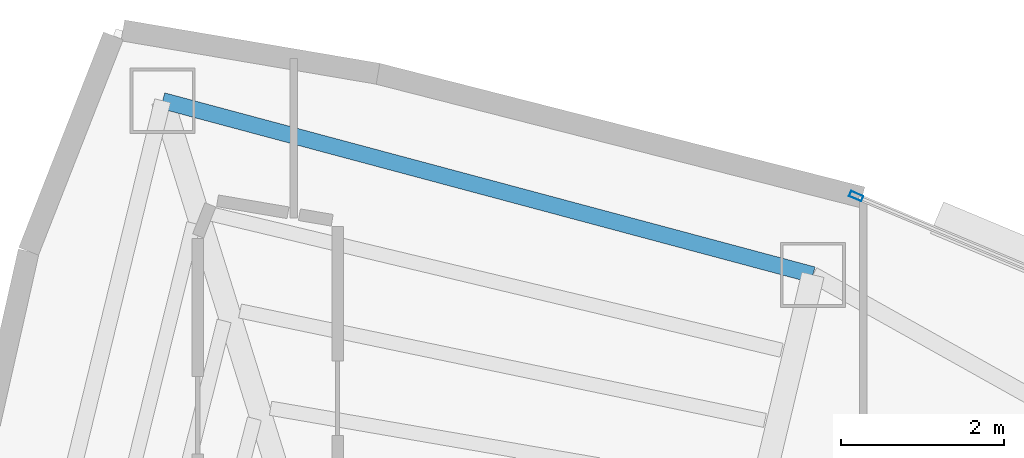
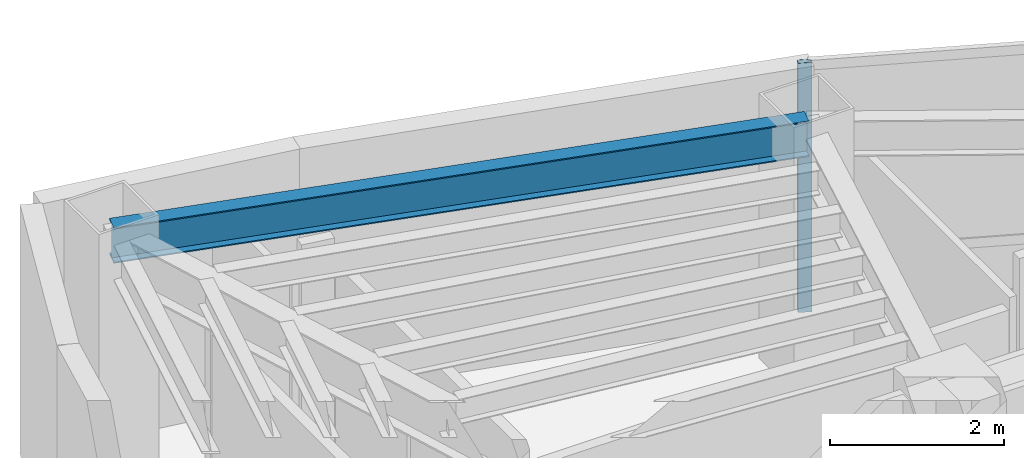
# One storey, part 9 of 15: 1 beam, 1 member, 1 element without a shape of its own.
"""IFC4 building model written with IfcOpenShell, lengths in metres."""

from ifc_helpers import new_model, si_unit, direction, frame, origin, origin_2d, place, context, subcontext, project, spatial, hollow_rectangle, i_section, extrude, material, layer, layer_set, material_profile, profile_set, type_object, element, aggregate, save


model = new_model("IFC4")

# Units and contexts
model_context = context("Model", 3, precision=1e-05, world=origin(), true_north=direction((0.0, 1.0)))
body_context = subcontext(model_context, "Body", "Model", "MODEL_VIEW")
ifc_project = project(units=[si_unit("LENGTHUNIT", "METRE"), si_unit("AREAUNIT", "SQUARE_METRE"), si_unit("VOLUMEUNIT", "CUBIC_METRE"), si_unit("PLANEANGLEUNIT", "RADIAN"), si_unit("MASSUNIT", "GRAM", prefix="KILO")], contexts=[model_context])

# Site, building, storey
site_placement = place(None, origin())
site = spatial("IfcSite", under=ifc_project, at=site_placement, CompositionType="ELEMENT")
building_placement = place(site_placement, origin())
building = spatial("IfcBuilding", under=site, at=building_placement, Name="Menara Vayukalpa", CompositionType="ELEMENT")
storey_placement = place(building_placement, frame((0.0, 0.0, 291.780029296875)))
storey = spatial("IfcBuildingStorey", under=building, at=storey_placement, Name="L74", CompositionType="ELEMENT", Elevation=291.780029296875)

# Beam
ifc_material_1 = material(Name="Steel S355", Category="steel")
ifc_material_profile_1 = material_profile(ifc_material_1, i_section(OverallWidth=0.199951171875, OverallDepth=0.5, WebThickness=0.010009765625, FlangeThickness=0.01611328125, at=origin_2d()), Name="WF 500x200x10x16")
ifc_profile_set_1 = profile_set([ifc_material_profile_1], Name="Steel S355")
beam_type = type_object("IfcBeamType", Name="BM-SP3", PredefinedType="SPANDREL", material=ifc_profile_set_1)
beam_placement = place(storey_placement, frame((23.3818359375, 32.40478515625, 3.25), z_axis=(-0.965978332552, 0.258623009494, 0.0), x_axis=(-0.258623009494, -0.965978332552, 0.0)))
element("IfcBeam", 1, at=beam_placement, inside=storey, type_object=beam_type, Name="L74 Perimeter Spandrel Beam SP03", PredefinedType="SPANDREL", context=body_context, shape_type="SweptSolid", body=[
    extrude(i_section(OverallWidth=0.199951171875, OverallDepth=0.5, WebThickness=0.010009765625, FlangeThickness=0.01611328125, at=origin_2d()), origin(), (0.0, 0.0, 1.0), 8.274169921875),
])

# Curtain wall, member
ifc_material_2 = material(Name="Anodised Terracotta Aluminium Alloy 6063-T6", Category="masonry")
ifc_layer = layer(ifc_material_2, 0.1650390625)
ifc_layer_set = layer_set([ifc_layer], Name="Anodised Terracotta Aluminium Alloy 6063-T6")
curtain_wall_type = type_object("IfcCurtainWallType", Name="CW-CW6", PredefinedType="USERDEFINED", material=ifc_layer_set)
curtain_wall_placement = place(storey_placement, origin())
curtain_wall = element("IfcCurtainWall", 2, at=curtain_wall_placement, inside=storey, type_object=curtain_wall_type, Name="L74 Observation and Executive Curtain Wall CW6 05", ObjectType="UNITISED", PredefinedType="USERDEFINED")
ifc_material_3 = material(Name="Anodised Terracotta Aluminium Alloy 6063-T6", Category="masonry")
ifc_material_profile_2 = material_profile(ifc_material_3, hollow_rectangle(XDim=0.070068359375, YDim=0.1650390625, WallThickness=0.00390625, at=origin_2d()), Name="ALU 70x165x4")
ifc_profile_set_2 = profile_set([ifc_material_profile_2], Name="Anodised Terracotta Aluminium Alloy 6063-T6")
member_type = type_object("IfcMemberType", Name="CWM-CW6", PredefinedType="MULLION", material=ifc_profile_set_2)
member_placement = place(storey_placement, frame((23.913330078125, 33.37158203125, 0.0), z_axis=(0.0, 0.0, 1.0), x_axis=(-0.385899911703, -0.922540653927, 0.0)))
member = element("IfcMember", 3, at=member_placement, type_object=member_type, Name="CW6 mullion 3", PredefinedType="MULLION", context=body_context, shape_type="SweptSolid", body=[
    extrude(hollow_rectangle(XDim=0.070068359375, YDim=0.1650390625, WallThickness=0.00390625, at=origin_2d()), origin(), (0.0, 0.0, 1.0), 3.5),
])
aggregate(curtain_wall, [member])

save(model, "model.ifc")
